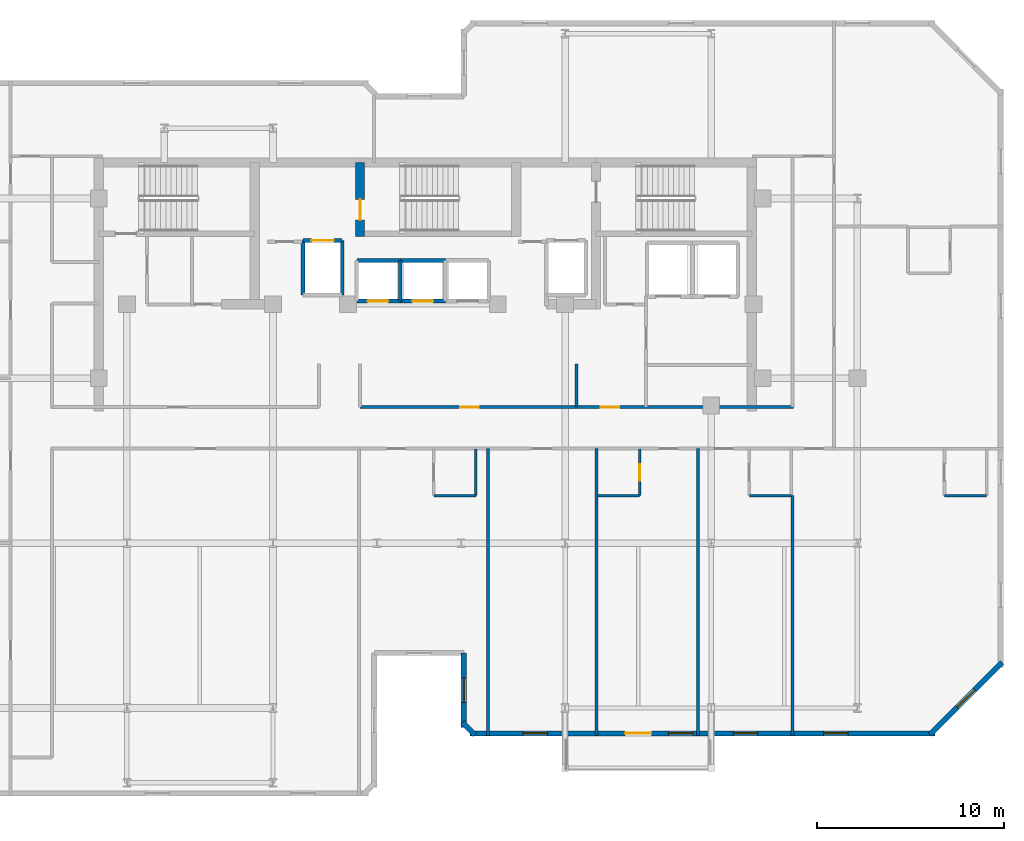
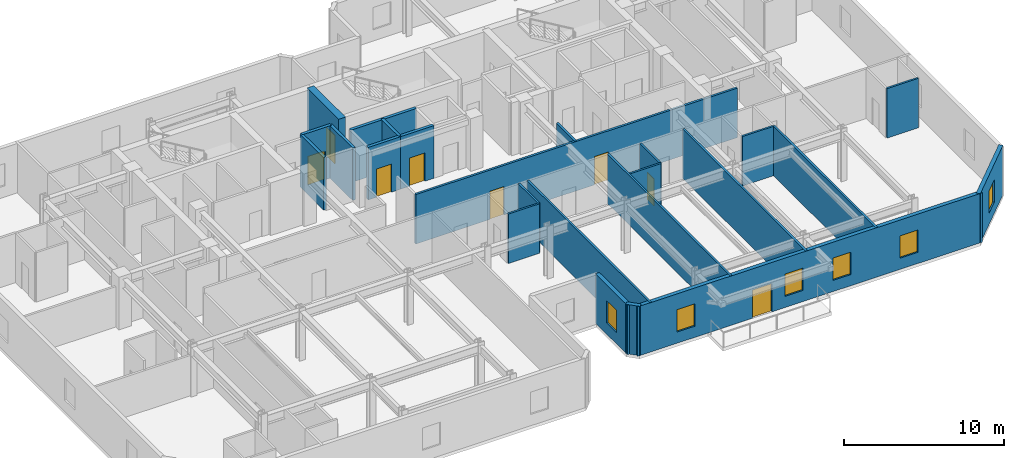
# One storey, part 5 of 11: 25 walls, 8 doors, 6 windows, 14 openings.
"""IFC4 building model written with IfcOpenShell, lengths in metres."""

from ifc_helpers import new_model, si_unit, direction, frame, frame_2d, origin, place, context, subcontext, project, spatial, rectangle, extrude, material, layer, layer_set, type_object, element, fill, save


model = new_model("IFC4")

# Units and contexts
model_context = context("Model", 3, precision=1e-05, world=origin(), true_north=direction((0.0, 1.0)))
body_context = subcontext(model_context, "Body", "Model", "MODEL_VIEW")
ifc_project = project(units=[si_unit("LENGTHUNIT", "METRE"), si_unit("AREAUNIT", "SQUARE_METRE"), si_unit("VOLUMEUNIT", "CUBIC_METRE"), si_unit("PLANEANGLEUNIT", "RADIAN"), si_unit("MASSUNIT", "GRAM", prefix="KILO")], contexts=[model_context])

# Site, building, storey
site_placement = place(None, origin())
site = spatial("IfcSite", under=ifc_project, at=site_placement, CompositionType="ELEMENT")
building_placement = place(site_placement, origin())
building = spatial("IfcBuilding", under=site, at=building_placement, Name="Kestravale Grand Hotel", CompositionType="ELEMENT")
storey_placement = place(building_placement, frame((0.0, 0.0, 249.39990234375)))
storey = spatial("IfcBuildingStorey", under=building, at=storey_placement, Name="L62", CompositionType="ELEMENT", Elevation=249.39990234375)

# Wall, opening, door
ifc_material_1 = material(Name="Concrete f'c 50 MPa", Category="concrete")
ifc_layer_1 = layer(ifc_material_1, 0.5)
ifc_layer_set_1 = layer_set([ifc_layer_1], Name="EW-CORE-500")
wall_type_1 = type_object("IfcWallType", Name="EW-CORE-500", PredefinedType="SHEAR", material=ifc_layer_set_1)
wall_1_placement = place(storey_placement, frame((35.85009765625, 36.3701171875, 0.0), z_axis=(0.0, 0.0, 1.0), x_axis=(0.0, 1.0, 0.0)))
wall_1 = element("IfcWall", 1, at=wall_1_placement, inside=storey, type_object=wall_type_1, Name="L62 core shear wall X2", PredefinedType="SHEAR", context=body_context, shape_type="SweptSolid", body=[
    extrude(rectangle(XDim=3.949951171875, YDim=0.5, at=frame_2d((1.97509765625, 0.0))), origin(), (0.0, 0.0, 1.0), 4.0),
])
opening_1_placement = place(wall_1_placement, frame((0.8798828125, 0.0, 0.0)))
opening_1 = element("IfcOpeningElement", 2, at=opening_1_placement, cuts=wall_1, Name="Opening D-ST-1100", PredefinedType="OPENING", context=body_context, shape_type="SweptSolid", body=[
    extrude(rectangle(XDim=1.10009765625, YDim=2.14990234375, at=frame_2d((0.550048828125, 1.074951171875))), frame((0.0, 0.260009765625, 0.0), z_axis=(0.0, -1.0, 0.0), x_axis=(1.0, 0.0, 0.0)), (0.0, 0.0, 1.0), 0.52001953125),
])
ifc_material_2 = material(Name="Galvanised 90-minute fire-rated steel stair door", Category="steel")
door_type_1 = type_object("IfcDoorType", Name="D-ST-1100", OperationType="NOTDEFINED", PredefinedType="DOOR", material=ifc_material_2)
door_1_placement = place(opening_1_placement, origin())
door_1 = element("IfcDoor", 3, at=door_1_placement, inside=storey, type_object=door_type_1, Name="L62 Stair ST-2 FSAE fire door", OperationType="SINGLE_SWING_RIGHT", OverallHeight=2.14990234375, OverallWidth=1.10009765625, PredefinedType="DOOR", context=body_context, shape_type="SweptSolid", body=[
    extrude(rectangle(XDim=1.10009765625, YDim=2.14990234375, at=frame_2d((0.550048828125, 1.074951171875))), frame((0.0, 0.02490234375, 0.0), z_axis=(0.0, -1.0, 0.0), x_axis=(1.0, 0.0, 0.0)), (0.0, 0.0, 1.0), 0.050048828125),
])
fill(opening_1, door_1)

# Wall, opening, window
ifc_material_3 = material(Name="Precast concrete f'c 45 MPa", Category="concrete")
ifc_layer_2 = layer(ifc_material_3, 0.280029296875)
ifc_layer_set_2 = layer_set([ifc_layer_2], Name="EW-PREC-280")
wall_type_2 = type_object("IfcWallType", Name="EW-PREC-280", PredefinedType="SOLIDWALL", material=ifc_layer_set_2)
wall_2_placement = place(storey_placement, frame((41.389892578125, 14.139892578125, 0.0), z_axis=(0.0, 0.0, 1.0), x_axis=(0.0, -1.0, 0.0)))
wall_2 = element("IfcWall", 4, at=wall_2_placement, inside=storey, type_object=wall_type_2, Name="L62 fluted precast facade wall 5", PredefinedType="SOLIDWALL", context=body_context, shape_type="SweptSolid", body=[
    extrude(rectangle(XDim=3.97998046875, YDim=0.280029296875, at=frame_2d((1.989990234375, 0.0))), origin(), (0.0, 0.0, 1.0), 3.760009765625),
])
opening_2_placement = place(wall_2_placement, frame((1.340087890625, 0.0, 0.85009765625)))
opening_2 = element("IfcOpeningElement", 5, at=opening_2_placement, cuts=wall_2, Name="Opening W-GUEST-1300", PredefinedType="OPENING", context=body_context, shape_type="SweptSolid", body=[
    extrude(rectangle(XDim=1.300048828125, YDim=1.699951171875, at=frame_2d((0.64990234375, 0.85009765625))), frame((0.0, 0.14990234375, 0.0), z_axis=(0.0, -1.0, 0.0), x_axis=(1.0, 0.0, 0.0)), (0.0, 0.0, 1.0), 0.300048828125),
])
ifc_material_4 = material(Name="Insulated low-E double glazing in aluminium frame", Category="aluminium")
window_type = type_object("IfcWindowType", Name="W-GUEST-1300", PartitioningType="SINGLE_PANEL", PredefinedType="WINDOW", material=ifc_material_4)
window_1_placement = place(opening_2_placement, origin())
window_1 = element("IfcWindow", 6, at=window_1_placement, inside=storey, type_object=window_type, Name="L62 exterior window 5.1", OverallHeight=1.699951171875, OverallWidth=1.300048828125, PartitioningType="SINGLE_PANEL", PredefinedType="WINDOW", context=body_context, shape_type="SweptSolid", body=[
    extrude(rectangle(XDim=1.300048828125, YDim=1.699951171875, at=frame_2d((0.64990234375, 0.85009765625))), frame((0.0, 0.030029296875, 0.0), z_axis=(0.0, -1.0, 0.0), x_axis=(1.0, 0.0, 0.0)), (0.0, 0.0, 1.0), 0.06005859375),
])
fill(opening_2, window_1)

# Wall
wall_3_placement = place(storey_placement, frame((41.32080078125, 10.42724609375, 0.0), z_axis=(0.0, 0.0, 1.0), x_axis=(0.707106781187, -0.707106781187, 0.0)))
element("IfcWall", 7, at=wall_3_placement, inside=storey, type_object=wall_type_2, Name="L62 fluted precast facade wall 6", PredefinedType="SOLIDWALL", context=body_context, shape_type="SweptSolid", body=[
    extrude(rectangle(XDim=0.928466796875, YDim=0.280029296875, at=frame_2d((0.46435546875, 0.0))), origin(), (0.0, 0.0, 1.0), 3.760009765625),
])

# Wall, openings, door, windows
wall_4_placement = place(storey_placement, frame((41.7099609375, 9.840087890625, 0.0), z_axis=(0.0, 0.0, 1.0), x_axis=(1.0, 0.0, 0.0)))
wall_4 = element("IfcWall", 8, at=wall_4_placement, inside=storey, type_object=wall_type_2, Name="L62 fluted precast facade wall 7", PredefinedType="SOLIDWALL", context=body_context, shape_type="SweptSolid", body=[
    extrude(rectangle(XDim=24.830078125, YDim=0.280029296875, at=frame_2d((12.4150390625, 0.0))), origin(), (0.0, 0.0, 1.0), 3.760009765625),
])
opening_3_placement = place(wall_4_placement, frame((8.2900390625, 0.0, 0.0)))
opening_3 = element("IfcOpeningElement", 9, at=opening_3_placement, cuts=wall_4, Name="Opening D-TERR-1400", PredefinedType="OPENING", context=body_context, shape_type="SweptSolid", body=[
    extrude(rectangle(XDim=1.39990234375, YDim=2.14990234375, at=frame_2d((0.699951171875, 1.074951171875))), frame((0.0, 0.14990234375, 0.0), z_axis=(0.0, -1.0, 0.0), x_axis=(1.0, 0.0, 0.0)), (0.0, 0.0, 1.0), 0.300048828125),
])
opening_4_placement = place(wall_4_placement, frame((2.83837890625, 0.0, 0.85009765625)))
opening_4 = element("IfcOpeningElement", 10, at=opening_4_placement, cuts=wall_4, Name="Opening W-GUEST-1300", PredefinedType="OPENING", context=body_context, shape_type="SweptSolid", body=[
    extrude(rectangle(XDim=1.300048828125, YDim=1.699951171875, at=frame_2d((0.64990234375, 0.85009765625))), frame((0.0, 0.14990234375, 0.0), z_axis=(0.0, -1.0, 0.0), x_axis=(1.0, 0.0, 0.0)), (0.0, 0.0, 1.0), 0.300048828125),
])
opening_5_placement = place(wall_4_placement, frame((10.614990234375, 0.0, 0.85009765625)))
opening_5 = element("IfcOpeningElement", 11, at=opening_5_placement, cuts=wall_4, Name="Opening W-GUEST-1300", PredefinedType="OPENING", context=body_context, shape_type="SweptSolid", body=[
    extrude(rectangle(XDim=1.300048828125, YDim=1.699951171875, at=frame_2d((0.64990234375, 0.85009765625))), frame((0.0, 0.14990234375, 0.0), z_axis=(0.0, -1.0, 0.0), x_axis=(1.0, 0.0, 0.0)), (0.0, 0.0, 1.0), 0.300048828125),
])
opening_6_placement = place(wall_4_placement, frame((18.8916015625, 0.0, 0.85009765625)))
opening_6 = element("IfcOpeningElement", 12, at=opening_6_placement, cuts=wall_4, Name="Opening W-GUEST-1300", PredefinedType="OPENING", context=body_context, shape_type="SweptSolid", body=[
    extrude(rectangle(XDim=1.300048828125, YDim=1.699951171875, at=frame_2d((0.64990234375, 0.85009765625))), frame((0.0, 0.14990234375, 0.0), z_axis=(0.0, -1.0, 0.0), x_axis=(1.0, 0.0, 0.0)), (0.0, 0.0, 1.0), 0.300048828125),
])
opening_7_placement = place(wall_4_placement, frame((14.06494140625, 0.0, 0.85009765625)))
opening_7 = element("IfcOpeningElement", 13, at=opening_7_placement, cuts=wall_4, Name="Opening W-GUEST-1300", PredefinedType="OPENING", context=body_context, shape_type="SweptSolid", body=[
    extrude(rectangle(XDim=1.300048828125, YDim=1.699951171875, at=frame_2d((0.64990234375, 0.85009765625))), frame((0.0, 0.14990234375, 0.0), z_axis=(0.0, -1.0, 0.0), x_axis=(1.0, 0.0, 0.0)), (0.0, 0.0, 1.0), 0.300048828125),
])
ifc_material_5 = material(Name="Insulated glazed champagne-bronze aluminium door", Category="aluminium")
door_type_2 = type_object("IfcDoorType", Name="D-TERR-1400", OperationType="NOTDEFINED", PredefinedType="DOOR", material=ifc_material_5)
door_2_placement = place(opening_3_placement, origin())
door_2 = element("IfcDoor", 14, at=door_2_placement, inside=storey, type_object=door_type_2, Name="L62 outdoor garden terrace door", OperationType="DOUBLE_DOOR_SINGLE_SWING", OverallHeight=2.14990234375, OverallWidth=1.39990234375, PredefinedType="DOOR", context=body_context, shape_type="SweptSolid", body=[
    extrude(rectangle(XDim=1.39990234375, YDim=2.14990234375, at=frame_2d((0.699951171875, 1.074951171875))), frame((0.0, 0.02490234375, 0.0), z_axis=(0.0, -1.0, 0.0), x_axis=(1.0, 0.0, 0.0)), (0.0, 0.0, 1.0), 0.050048828125),
])
fill(opening_3, door_2)
window_2_placement = place(opening_4_placement, origin())
window_2 = element("IfcWindow", 15, at=window_2_placement, inside=storey, type_object=window_type, Name="L62 exterior window 7.1", OverallHeight=1.699951171875, OverallWidth=1.300048828125, PartitioningType="SINGLE_PANEL", PredefinedType="WINDOW", context=body_context, shape_type="SweptSolid", body=[
    extrude(rectangle(XDim=1.300048828125, YDim=1.699951171875, at=frame_2d((0.64990234375, 0.85009765625))), frame((0.0, 0.030029296875, 0.0), z_axis=(0.0, -1.0, 0.0), x_axis=(1.0, 0.0, 0.0)), (0.0, 0.0, 1.0), 0.06005859375),
])
fill(opening_4, window_2)
window_3_placement = place(opening_5_placement, origin())
window_3 = element("IfcWindow", 16, at=window_3_placement, inside=storey, type_object=window_type, Name="L62 exterior window 7.2", OverallHeight=1.699951171875, OverallWidth=1.300048828125, PartitioningType="SINGLE_PANEL", PredefinedType="WINDOW", context=body_context, shape_type="SweptSolid", body=[
    extrude(rectangle(XDim=1.300048828125, YDim=1.699951171875, at=frame_2d((0.64990234375, 0.85009765625))), frame((0.0, 0.030029296875, 0.0), z_axis=(0.0, -1.0, 0.0), x_axis=(1.0, 0.0, 0.0)), (0.0, 0.0, 1.0), 0.06005859375),
])
fill(opening_5, window_3)
window_4_placement = place(opening_6_placement, origin())
window_4 = element("IfcWindow", 17, at=window_4_placement, inside=storey, type_object=window_type, Name="L62 exterior window 7.3", OverallHeight=1.699951171875, OverallWidth=1.300048828125, PartitioningType="SINGLE_PANEL", PredefinedType="WINDOW", context=body_context, shape_type="SweptSolid", body=[
    extrude(rectangle(XDim=1.300048828125, YDim=1.699951171875, at=frame_2d((0.64990234375, 0.85009765625))), frame((0.0, 0.030029296875, 0.0), z_axis=(0.0, -1.0, 0.0), x_axis=(1.0, 0.0, 0.0)), (0.0, 0.0, 1.0), 0.06005859375),
])
fill(opening_6, window_4)
window_5_placement = place(opening_7_placement, origin())
window_5 = element("IfcWindow", 18, at=window_5_placement, inside=storey, type_object=window_type, Name="L62 guestroom envelope window 1", OverallHeight=1.699951171875, OverallWidth=1.300048828125, PartitioningType="SINGLE_PANEL", PredefinedType="WINDOW", context=body_context, shape_type="SweptSolid", body=[
    extrude(rectangle(XDim=1.300048828125, YDim=1.699951171875, at=frame_2d((0.64990234375, 0.85009765625))), frame((0.0, 0.030029296875, 0.0), z_axis=(0.0, -1.0, 0.0), x_axis=(1.0, 0.0, 0.0)), (0.0, 0.0, 1.0), 0.06005859375),
])
fill(opening_7, window_5)

# Wall, opening, window
wall_5_placement = place(storey_placement, frame((66.272705078125, 9.770751953125, 0.0), z_axis=(0.0, 0.0, 1.0), x_axis=(0.707129162587, 0.707084399077, 0.0)))
wall_5 = element("IfcWall", 19, at=wall_5_placement, inside=storey, type_object=wall_type_2, Name="L62 fluted precast facade wall 8", PredefinedType="SOLIDWALL", context=body_context, shape_type="SweptSolid", body=[
    extrude(rectangle(XDim=5.4541015625, YDim=0.280029296875, at=frame_2d((2.72705078125, 0.0))), origin(), (0.0, 0.0, 1.0), 3.760009765625),
])
opening_8_placement = place(wall_5_placement, frame((2.076904296875, 0.0, 0.85009765625)))
opening_8 = element("IfcOpeningElement", 20, at=opening_8_placement, cuts=wall_5, Name="Opening W-GUEST-1300", PredefinedType="OPENING", context=body_context, shape_type="SweptSolid", body=[
    extrude(rectangle(XDim=1.300048828125, YDim=1.699951171875, at=frame_2d((0.64990234375, 0.85009765625))), frame((0.0, 0.14990234375, 0.0), z_axis=(0.0, -1.0, 0.0), x_axis=(1.0, 0.0, 0.0)), (0.0, 0.0, 1.0), 0.300048828125),
])
window_6_placement = place(opening_8_placement, origin())
window_6 = element("IfcWindow", 21, at=window_6_placement, inside=storey, type_object=window_type, Name="L62 exterior window 8.1", OverallHeight=1.699951171875, OverallWidth=1.300048828125, PartitioningType="SINGLE_PANEL", PredefinedType="WINDOW", context=body_context, shape_type="SweptSolid", body=[
    extrude(rectangle(XDim=1.300048828125, YDim=1.699951171875, at=frame_2d((0.64990234375, 0.85009765625))), frame((0.0, 0.030029296875, 0.0), z_axis=(0.0, -1.0, 0.0), x_axis=(1.0, 0.0, 0.0)), (0.0, 0.0, 1.0), 0.06005859375),
])
fill(opening_8, window_6)

# Wall, openings, doors
ifc_material_6 = material(Name="Acoustic fire-rated gypsum board partition", Category="other")
ifc_layer_3 = layer(ifc_material_6, 0.159912109375)
ifc_layer_set_3 = layer_set([ifc_layer_3], Name="IW-CORR-160")
wall_type_3 = type_object("IfcWallType", Name="IW-CORR-160", PredefinedType="PARTITIONING", material=ifc_layer_set_3)
wall_6_placement = place(storey_placement, frame((35.85009765625, 27.260009765625, 0.0), z_axis=(0.0, 0.0, 1.0), x_axis=(1.0, 0.0, 0.0)))
wall_6 = element("IfcWall", 22, at=wall_6_placement, inside=storey, type_object=wall_type_3, Name="W-L62-CE-N", PredefinedType="PARTITIONING", context=body_context, shape_type="SweptSolid", body=[
    extrude(rectangle(XDim=23.14990234375, YDim=0.159912109375, at=frame_2d((11.574951171875, 0.0))), origin(), (0.0, 0.0, 1.0), 3.760009765625),
])
opening_9_placement = place(wall_6_placement, frame((5.35009765625, 0.0, 0.0)))
opening_9 = element("IfcOpeningElement", 23, at=opening_9_placement, cuts=wall_6, Name="Opening D-GUEST-1000", PredefinedType="OPENING", context=body_context, shape_type="SweptSolid", body=[
    extrude(rectangle(XDim=1.0, YDim=2.14990234375, at=frame_2d((0.5, 1.074951171875))), frame((0.0, 0.08984375, 0.0), z_axis=(0.0, -1.0, 0.0), x_axis=(1.0, 0.0, 0.0)), (0.0, 0.0, 1.0), 0.179931640625),
])
opening_10_placement = place(wall_6_placement, frame((12.85009765625, 0.0, 0.0)))
opening_10 = element("IfcOpeningElement", 24, at=opening_10_placement, cuts=wall_6, Name="Opening D-GUEST-1000", PredefinedType="OPENING", context=body_context, shape_type="SweptSolid", body=[
    extrude(rectangle(XDim=1.0, YDim=2.14990234375, at=frame_2d((0.5, 1.074951171875))), frame((0.0, 0.08984375, 0.0), z_axis=(0.0, -1.0, 0.0), x_axis=(1.0, 0.0, 0.0)), (0.0, 0.0, 1.0), 0.179931640625),
])
ifc_material_7 = material(Name="Accessible walnut veneer hotel entrance fire door", Category="wood")
door_type_3 = type_object("IfcDoorType", Name="D-GUEST-1000", OperationType="NOTDEFINED", PredefinedType="DOOR", material=ifc_material_7)
door_3_placement = place(opening_9_placement, origin())
door_3 = element("IfcDoor", 25, at=door_3_placement, inside=storey, type_object=door_type_3, Name="D-L62-RECL-E1", OperationType="SINGLE_SWING_RIGHT", OverallHeight=2.14990234375, OverallWidth=1.0, PredefinedType="DOOR", context=body_context, shape_type="SweptSolid", body=[
    extrude(rectangle(XDim=1.0, YDim=2.14990234375, at=frame_2d((0.5, 1.074951171875))), frame((0.0, 0.02490234375, 0.0), z_axis=(0.0, -1.0, 0.0), x_axis=(1.0, 0.0, 0.0)), (0.0, 0.0, 1.0), 0.050048828125),
])
fill(opening_9, door_3)
door_4_placement = place(opening_10_placement, origin())
door_4 = element("IfcDoor", 26, at=door_4_placement, inside=storey, type_object=door_type_3, Name="D-L62-RECL-E2", OperationType="SINGLE_SWING_LEFT", OverallHeight=2.14990234375, OverallWidth=1.0, PredefinedType="DOOR", context=body_context, shape_type="SweptSolid", body=[
    extrude(rectangle(XDim=1.0, YDim=2.14990234375, at=frame_2d((0.5, 1.074951171875))), frame((0.0, 0.02490234375, 0.0), z_axis=(0.0, -1.0, 0.0), x_axis=(1.0, 0.0, 0.0)), (0.0, 0.0, 1.0), 0.050048828125),
])
fill(opening_10, door_4)

# Walls
ifc_material_8 = material(Name="Moisture-resistant tile-backer plumbing chase wall", Category="other")
ifc_layer_4 = layer(ifc_material_8, 0.139892578125)
ifc_layer_set_4 = layer_set([ifc_layer_4], Name="IW-PLB-140")
wall_type_4 = type_object("IfcWallType", Name="IW-PLB-140", PredefinedType="PLUMBINGWALL", material=ifc_layer_set_4)
wall_7_placement = place(storey_placement, frame((42.034912109375, 22.530029296875, 0.0), z_axis=(0.0, 0.0, 1.0), x_axis=(0.0, 1.0, 0.0)))
element("IfcWall", 27, at=wall_7_placement, inside=storey, type_object=wall_type_4, Name="W-L62-U01-BE", PredefinedType="PLUMBINGWALL", context=body_context, shape_type="SweptSolid", body=[
    extrude(rectangle(XDim=2.489990234375, YDim=0.139892578125, at=frame_2d((1.2451171875, 0.0))), origin(), (0.0, 0.0, 1.0), 3.760009765625),
])
wall_8_placement = place(storey_placement, frame((39.784912109375, 22.530029296875, 0.0), z_axis=(0.0, 0.0, 1.0), x_axis=(1.0, 0.0, 0.0)))
element("IfcWall", 28, at=wall_8_placement, inside=storey, type_object=wall_type_4, Name="W-L62-U01-BS", PredefinedType="PLUMBINGWALL", context=body_context, shape_type="SweptSolid", body=[
    extrude(rectangle(XDim=2.25, YDim=0.139892578125, at=frame_2d((1.125, 0.0))), origin(), (0.0, 0.0, 1.0), 3.760009765625),
])

# Wall, opening, door
wall_9_placement = place(storey_placement, frame((50.780029296875, 22.530029296875, 0.0), z_axis=(0.0, 0.0, 1.0), x_axis=(0.0, 1.0, 0.0)))
wall_9 = element("IfcWall", 29, at=wall_9_placement, inside=storey, type_object=wall_type_4, Name="W-L62-U02-BE", PredefinedType="PLUMBINGWALL", context=body_context, shape_type="SweptSolid", body=[
    extrude(rectangle(XDim=2.489990234375, YDim=0.139892578125, at=frame_2d((1.2451171875, 0.0))), origin(), (0.0, 0.0, 1.0), 3.760009765625),
])
opening_11_placement = place(wall_9_placement, frame((0.804931640625, 0.0, 0.0)))
opening_11 = element("IfcOpeningElement", 30, at=opening_11_placement, cuts=wall_9, Name="Opening D-BATH-880", PredefinedType="OPENING", context=body_context, shape_type="SweptSolid", body=[
    extrude(rectangle(XDim=0.8798828125, YDim=2.050048828125, at=frame_2d((0.43994140625, 1.02490234375))), frame((0.0, 0.079833984375, 0.0), z_axis=(0.0, -1.0, 0.0), x_axis=(1.0, 0.0, 0.0)), (0.0, 0.0, 1.0), 0.159912109375),
])
ifc_material_9 = material(Name="Moisture-sealed walnut en-suite bathroom door", Category="wood")
door_type_4 = type_object("IfcDoorType", Name="D-BATH-880", OperationType="NOTDEFINED", PredefinedType="DOOR", material=ifc_material_9)
door_5_placement = place(opening_11_placement, origin())
door_5 = element("IfcDoor", 31, at=door_5_placement, inside=storey, type_object=door_type_4, Name="D-L62-U02-BATH", OperationType="SINGLE_SWING_RIGHT", OverallHeight=2.050048828125, OverallWidth=0.8798828125, PredefinedType="DOOR", context=body_context, shape_type="SweptSolid", body=[
    extrude(rectangle(XDim=0.8798828125, YDim=2.050048828125, at=frame_2d((0.43994140625, 1.02490234375))), frame((0.0, 0.02490234375, 0.0), z_axis=(0.0, -1.0, 0.0), x_axis=(1.0, 0.0, 0.0)), (0.0, 0.0, 1.0), 0.050048828125),
])
fill(opening_11, door_5)

# Walls
for number, where, z_axis, x_axis, name in (
    (32, (48.530029296875, 22.530029296875, 0.0), (0.0, 0.0, 1.0), (1.0, 0.0, 0.0), "W-L62-U02-BS"),
    (33, (56.6298828125, 22.530029296875, 0.0), (0.0, 0.0, 1.0), (1.0, 0.0, 0.0), "W-L62-U03-BS"),
    (34, (67.050048828125, 22.530029296875, 0.0), (0.0, 0.0, 1.0), (1.0, 0.0, 0.0), "W-L62-U07-BS"),
):
    element("IfcWall", number, at=place(storey_placement, frame(where, z_axis=z_axis, x_axis=x_axis)), inside=storey, type_object=wall_type_4, Name=name, PredefinedType="PLUMBINGWALL", context=body_context, shape_type="SweptSolid", body=[
        extrude(rectangle(XDim=2.25, YDim=0.139892578125, at=frame_2d((1.125, 0.0))), origin(), (0.0, 0.0, 1.0), 3.760009765625),
    ])
ifc_material_10 = material(Name="Concrete f'c 45 MPa", Category="concrete")
ifc_layer_5 = layer(ifc_material_10, 0.199951171875)
ifc_layer_set_5 = layer_set([ifc_layer_5], Name="IW-SHAFT-200")
wall_type_5 = type_object("IfcWallType", Name="IW-SHAFT-200", PredefinedType="SHEAR", material=ifc_layer_set_5)
wall_10_placement = place(storey_placement, frame((38.0, 32.919921875, 0.0), z_axis=(0.0, 0.0, 1.0), x_axis=(0.0, 1.0, 0.0)))
element("IfcWall", 35, at=wall_10_placement, inside=storey, type_object=wall_type_5, Name="L62 PL-X2 west shaft wall", PredefinedType="SHEAR", context=body_context, shape_type="SweptSolid", body=[
    extrude(rectangle(XDim=2.16015625, YDim=0.199951171875, at=frame_2d((1.080078125, 0.0))), origin(), (0.0, 0.0, 1.0), 4.0),
])
for number, where, z_axis, x_axis, name in (
    (36, (32.804931640625, 33.2451171875, 0.0), (0.0, 0.0, 1.0), (0.0, 1.0, 0.0), "L62 FL-1 west shaft wall"),
    (37, (34.89501953125, 33.2451171875, 0.0), (0.0, 0.0, 1.0), (0.0, 1.0, 0.0), "L62 FL-1 east shaft wall"),
):
    element("IfcWall", number, at=place(storey_placement, frame(where, z_axis=z_axis, x_axis=x_axis)), inside=storey, type_object=wall_type_5, Name=name, PredefinedType="SHEAR", context=body_context, shape_type="SweptSolid", body=[
        extrude(rectangle(XDim=2.909912109375, YDim=0.199951171875, at=frame_2d((1.455078125, 0.0))), origin(), (0.0, 0.0, 1.0), 4.0),
    ])
ifc_material_11 = material(Name="Concrete f'c 45 MPa", Category="concrete")
ifc_layer_6 = layer(ifc_material_11, 0.219970703125)
ifc_layer_set_6 = layer_set([ifc_layer_6], Name="IW-SHAFT-220")
wall_type_6 = type_object("IfcWallType", Name="IW-SHAFT-220", PredefinedType="SHEAR", material=ifc_layer_set_6)
wall_11_placement = place(storey_placement, frame((35.679931640625, 35.080078125, 0.0), z_axis=(0.0, 0.0, 1.0), x_axis=(1.0, 0.0, 0.0)))
element("IfcWall", 38, at=wall_11_placement, inside=storey, type_object=wall_type_6, Name="L62 PL-X1 north shaft wall", PredefinedType="SHEAR", context=body_context, shape_type="SweptSolid", body=[
    extrude(rectangle(XDim=2.320068359375, YDim=0.219970703125, at=frame_2d((1.16015625, 0.0))), origin(), (0.0, 0.0, 1.0), 4.0),
])

# Wall, opening, door
wall_12_placement = place(storey_placement, frame((35.679931640625, 32.919921875, 0.0), z_axis=(0.0, 0.0, 1.0), x_axis=(1.0, 0.0, 0.0)))
wall_12 = element("IfcWall", 39, at=wall_12_placement, inside=storey, type_object=wall_type_6, Name="L62 PL-X1 south shaft wall", PredefinedType="SHEAR", context=body_context, shape_type="SweptSolid", body=[
    extrude(rectangle(XDim=2.320068359375, YDim=0.219970703125, at=frame_2d((1.16015625, 0.0))), origin(), (0.0, 0.0, 1.0), 4.0),
])
opening_12_placement = place(wall_12_placement, frame((0.570068359375, 0.0, 0.0)))
opening_12 = element("IfcOpeningElement", 40, at=opening_12_placement, cuts=wall_12, Name="Opening LD-PAX-1100", PredefinedType="OPENING", context=body_context, shape_type="SweptSolid", body=[
    extrude(rectangle(XDim=1.10009765625, YDim=2.14990234375, at=frame_2d((0.550048828125, 1.074951171875))), frame((0.0, 0.119873046875, 0.0), z_axis=(0.0, -1.0, 0.0), x_axis=(1.0, 0.0, 0.0)), (0.0, 0.0, 1.0), 0.239990234375),
])
ifc_material_12 = material(Name="Champagne-bronze center-opening sliding elevator landing door", Category="steel")
door_type_5 = type_object("IfcDoorType", Name="LD-PAX-1100", OperationType="NOTDEFINED", PredefinedType="DOOR", material=ifc_material_12)
door_6_placement = place(opening_12_placement, origin())
door_6 = element("IfcDoor", 41, at=door_6_placement, inside=storey, type_object=door_type_5, Name="L62 PL-X1 elevator landing sliding door", OperationType="DOUBLE_DOOR_SLIDING", OverallHeight=2.14990234375, OverallWidth=1.10009765625, PredefinedType="DOOR", context=body_context, shape_type="SweptSolid", body=[
    extrude(rectangle(XDim=1.10009765625, YDim=2.14990234375, at=frame_2d((0.550048828125, 1.074951171875))), frame((0.0, 0.02490234375, 0.0), z_axis=(0.0, -1.0, 0.0), x_axis=(1.0, 0.0, 0.0)), (0.0, 0.0, 1.0), 0.050048828125),
])
fill(opening_12, door_6)

# Wall
wall_13_placement = place(storey_placement, frame((38.0, 35.080078125, 0.0), z_axis=(0.0, 0.0, 1.0), x_axis=(1.0, 0.0, 0.0)))
element("IfcWall", 42, at=wall_13_placement, inside=storey, type_object=wall_type_6, Name="L62 PL-X2 north shaft wall", PredefinedType="SHEAR", context=body_context, shape_type="SweptSolid", body=[
    extrude(rectangle(XDim=2.39990234375, YDim=0.219970703125, at=frame_2d((1.199951171875, 0.0))), origin(), (0.0, 0.0, 1.0), 4.0),
])

# Wall, opening, door
wall_14_placement = place(storey_placement, frame((38.0, 32.919921875, 0.0), z_axis=(0.0, 0.0, 1.0), x_axis=(1.0, 0.0, 0.0)))
wall_14 = element("IfcWall", 43, at=wall_14_placement, inside=storey, type_object=wall_type_6, Name="L62 PL-X2 south shaft wall", PredefinedType="SHEAR", context=body_context, shape_type="SweptSolid", body=[
    extrude(rectangle(XDim=2.39990234375, YDim=0.219970703125, at=frame_2d((1.199951171875, 0.0))), origin(), (0.0, 0.0, 1.0), 4.0),
])
opening_13_placement = place(wall_14_placement, frame((0.64990234375, 0.0, 0.0)))
opening_13 = element("IfcOpeningElement", 44, at=opening_13_placement, cuts=wall_14, Name="Opening LD-PAX-1100", PredefinedType="OPENING", context=body_context, shape_type="SweptSolid", body=[
    extrude(rectangle(XDim=1.10009765625, YDim=2.14990234375, at=frame_2d((0.550048828125, 1.074951171875))), frame((0.0, 0.119873046875, 0.0), z_axis=(0.0, -1.0, 0.0), x_axis=(1.0, 0.0, 0.0)), (0.0, 0.0, 1.0), 0.239990234375),
])
door_7_placement = place(opening_13_placement, origin())
door_7 = element("IfcDoor", 45, at=door_7_placement, inside=storey, type_object=door_type_5, Name="L62 PL-X2 elevator landing sliding door", OperationType="DOUBLE_DOOR_SLIDING", OverallHeight=2.14990234375, OverallWidth=1.10009765625, PredefinedType="DOOR", context=body_context, shape_type="SweptSolid", body=[
    extrude(rectangle(XDim=1.10009765625, YDim=2.14990234375, at=frame_2d((0.550048828125, 1.074951171875))), frame((0.0, 0.02490234375, 0.0), z_axis=(0.0, -1.0, 0.0), x_axis=(1.0, 0.0, 0.0)), (0.0, 0.0, 1.0), 0.050048828125),
])
fill(opening_13, door_7)

wall_15_placement = place(storey_placement, frame((32.804931640625, 36.155029296875, 0.0), z_axis=(0.0, 0.0, 1.0), x_axis=(1.0, 0.0, 0.0)))
wall_15 = element("IfcWall", 46, at=wall_15_placement, inside=storey, type_object=wall_type_6, Name="L62 FL-1 north shaft wall", PredefinedType="SHEAR", context=body_context, shape_type="SweptSolid", body=[
    extrude(rectangle(XDim=2.090087890625, YDim=0.219970703125, at=frame_2d((1.044921875, 0.0))), origin(), (0.0, 0.0, 1.0), 4.0),
])
opening_14_placement = place(wall_15_placement, frame((0.445068359375, 0.0, 0.0)))
opening_14 = element("IfcOpeningElement", 47, at=opening_14_placement, cuts=wall_15, Name="Opening LD-FSAE-1200", PredefinedType="OPENING", context=body_context, shape_type="SweptSolid", body=[
    extrude(rectangle(XDim=1.199951171875, YDim=2.14990234375, at=frame_2d((0.60009765625, 1.074951171875))), frame((0.0, 0.119873046875, 0.0), z_axis=(0.0, -1.0, 0.0), x_axis=(1.0, 0.0, 0.0)), (0.0, 0.0, 1.0), 0.239990234375),
])
ifc_material_13 = material(Name="Stainless fire-service sliding elevator landing door", Category="steel")
door_type_6 = type_object("IfcDoorType", Name="LD-FSAE-1200", OperationType="NOTDEFINED", PredefinedType="DOOR", material=ifc_material_13)
door_8_placement = place(opening_14_placement, origin())
door_8 = element("IfcDoor", 48, at=door_8_placement, inside=storey, type_object=door_type_6, Name="L62 FL-1 elevator landing sliding door", OperationType="DOUBLE_DOOR_SLIDING", OverallHeight=2.14990234375, OverallWidth=1.199951171875, PredefinedType="DOOR", context=body_context, shape_type="SweptSolid", body=[
    extrude(rectangle(XDim=1.199951171875, YDim=2.14990234375, at=frame_2d((0.60009765625, 1.074951171875))), frame((0.0, 0.02490234375, 0.0), z_axis=(0.0, -1.0, 0.0), x_axis=(1.0, 0.0, 0.0)), (0.0, 0.0, 1.0), 0.050048828125),
])
fill(opening_14, door_8)

# Walls
ifc_material_14 = material(Name="Double-stud STC 52 acoustic demising partition", Category="other")
ifc_layer_7 = layer(ifc_material_14, 0.14990234375)
ifc_layer_set_7 = layer_set([ifc_layer_7], Name="IW-UNIT-150")
wall_type_7 = type_object("IfcWallType", Name="IW-UNIT-150", PredefinedType="PARTITIONING", material=ifc_layer_set_7)
wall_16_placement = place(storey_placement, frame((47.39990234375, 27.260009765625, 0.0), z_axis=(0.0, 0.0, 1.0), x_axis=(0.0, 1.0, 0.0)))
element("IfcWall", 49, at=wall_16_placement, inside=storey, type_object=wall_type_7, Name="W-L62-RCLE-M", PredefinedType="PARTITIONING", context=body_context, shape_type="SweptSolid", body=[
    extrude(rectangle(XDim=2.2900390625, YDim=0.14990234375, at=frame_2d((1.14501953125, 0.0))), origin(), (0.0, 0.0, 1.0), 3.760009765625),
])
for number, where, z_axis, x_axis, name in (
    (50, (42.68505859375, 9.719970703125, 0.0), (0.0, 0.0, 1.0), (0.0, 1.0, 0.0), "W-L62-ES-1"),
    (51, (48.469970703125, 9.719970703125, 0.0), (0.0, 0.0, 1.0), (0.0, 1.0, 0.0), "W-L62-ES-2"),
    (52, (53.889892578125, 9.719970703125, 0.0), (0.0, 0.0, 1.0), (0.0, 1.0, 0.0), "W-L62-ES-3"),
):
    element("IfcWall", number, at=place(storey_placement, frame(where, z_axis=z_axis, x_axis=x_axis)), inside=storey, type_object=wall_type_7, Name=name, PredefinedType="PARTITIONING", context=body_context, shape_type="SweptSolid", body=[
        extrude(rectangle(XDim=15.320068359375, YDim=0.14990234375, at=frame_2d((7.66015625, 0.0))), origin(), (0.0, 0.0, 1.0), 3.760009765625),
    ])
wall_17_placement = place(storey_placement, frame((58.93994140625, 9.719970703125, 0.0), z_axis=(0.0, 0.0, 1.0), x_axis=(0.0, 1.0, 0.0)))
element("IfcWall", 53, at=wall_17_placement, inside=storey, type_object=wall_type_7, Name="W-L62-SEC-W", PredefinedType="PARTITIONING", context=body_context, shape_type="SweptSolid", body=[
    extrude(rectangle(XDim=12.81005859375, YDim=0.14990234375, at=frame_2d((6.405029296875, 0.0))), origin(), (0.0, 0.0, 1.0), 3.760009765625),
])

save(model, "model.ifc")
